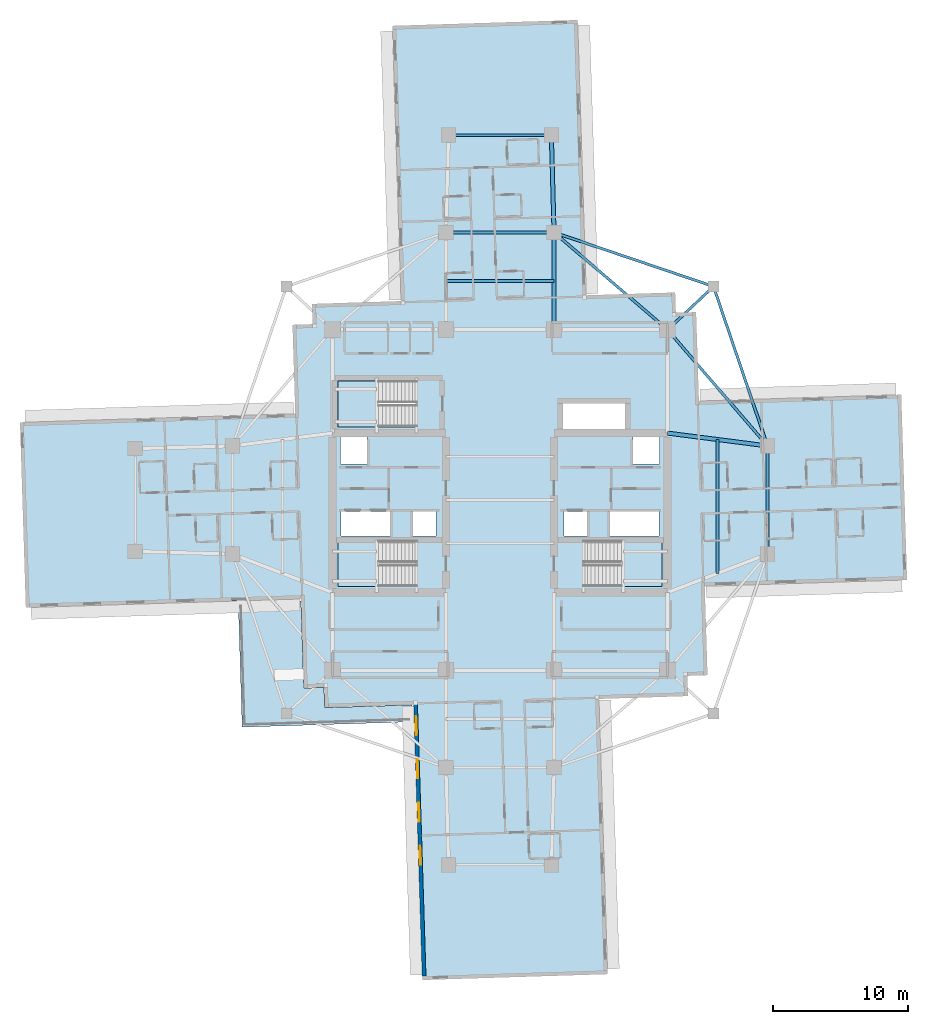
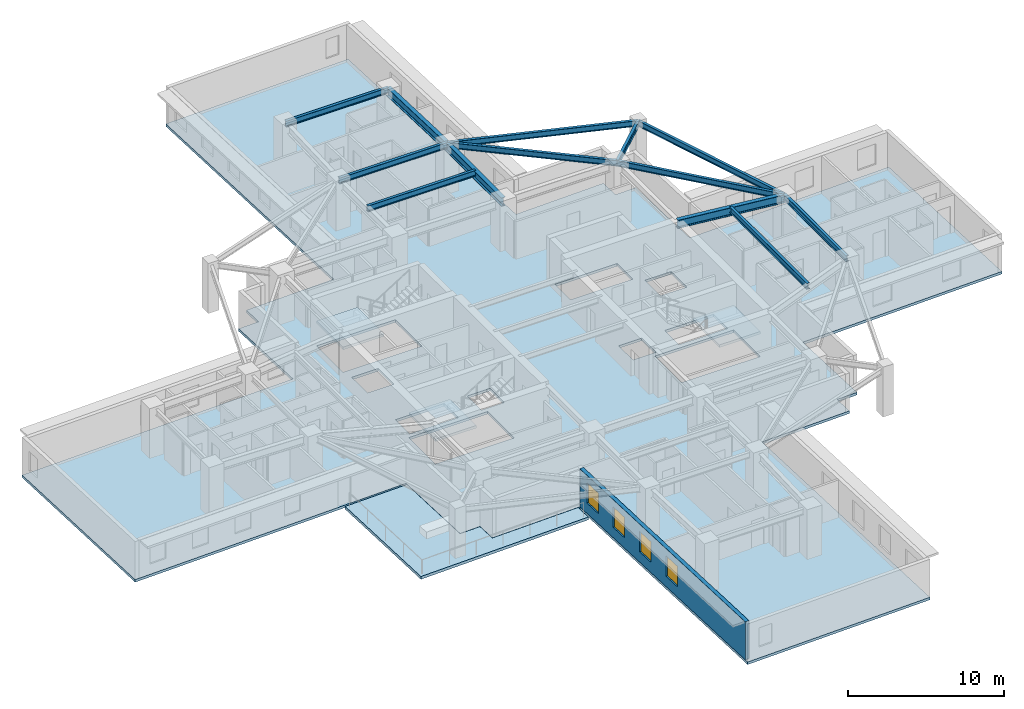
# One storey, part 2 of 14: 13 beams, 5 slabs, 4 windows, 1 wall, 4 openings, 3 elements without a shape of their own.
"""IFC4 building model written with IfcOpenShell, lengths in metres."""

from ifc_helpers import new_model, si_unit, direction, frame, frame_2d, origin, origin_2d, place, context, subcontext, project, spatial, polyline, rectangle, i_section, outline, extrude, material, layer, layer_set, material_profile, profile_set, type_object, element, fill, aggregate, save


model = new_model("IFC4")

# Units and contexts
model_context = context("Model", 3, precision=1e-05, world=origin(), true_north=direction((0.0, 1.0)))
body_context = subcontext(model_context, "Body", "Model", "MODEL_VIEW")
ifc_project = project(units=[si_unit("LENGTHUNIT", "METRE"), si_unit("AREAUNIT", "SQUARE_METRE"), si_unit("VOLUMEUNIT", "CUBIC_METRE"), si_unit("PLANEANGLEUNIT", "RADIAN"), si_unit("MASSUNIT", "GRAM", prefix="KILO")], contexts=[model_context])

# Site, building, storey
site_placement = place(None, origin())
site = spatial("IfcSite", under=ifc_project, at=site_placement, CompositionType="ELEMENT")
building_placement = place(site_placement, origin())
building = spatial("IfcBuilding", under=site, at=building_placement, Name="Qingluan Cross Belvedere", CompositionType="ELEMENT")
storey_placement = place(building_placement, frame((0.0, 0.0, 112.5)))
storey = spatial("IfcBuildingStorey", under=building, at=storey_placement, Name="L28", CompositionType="ELEMENT", Elevation=112.5)

# Beams
ifc_material_1 = material(Name="Steel Q420GJB", Category="steel")
ifc_material_profile_1 = material_profile(ifc_material_1, i_section(OverallWidth=0.199951171875, OverallDepth=0.449951171875, WebThickness=0.009033203125, FlangeThickness=0.013916015625, FilletRadius=0.01611328125, at=origin_2d()), Name="HN450x200x9x14")
ifc_profile_set_1 = profile_set([ifc_material_profile_1], Name="Steel Q420GJB")
beam_type_1 = type_object("IfcBeamType", Name="Steel_Beam_HN450x200x9x14", PredefinedType="JOIST", material=ifc_profile_set_1)
beam_1_placement = place(storey_placement, frame((12.39990234375, 12.60009765625, 3.47509765625), z_axis=(0.728219948308, 0.685343495546, 0.0), x_axis=(-0.685343495546, 0.728219948308, 0.0)))
element("IfcBeam", 1, at=beam_1_placement, inside=storey, type_object=beam_type_1, Name="Corner beam 1 L28-RNE", PredefinedType="JOIST", context=body_context, shape_type="SweptSolid", body=[
    extrude(i_section(OverallWidth=0.199951171875, OverallDepth=0.449951171875, WebThickness=0.009033203125, FlangeThickness=0.013916015625, FilletRadius=0.01611328125, at=origin_2d()), origin(), (0.0, 0.0, 1.0), 4.669189453125),
])
for number, where, z_axis, x_axis, name in (
    (2, (15.800048828125, 15.800048828125, 3.47509765625), (-0.947066283324, 0.321038089628, 0.0), (-0.321038089628, -0.947066283324, 0.0), "Corner beam 2 L28-RNE"),
    (3, (15.800048828125, 15.800048828125, 3.47509765625), (0.321038089628, -0.947066283324, 0.0), (0.947066283324, 0.321038089628, 0.0), "Corner beam 3 L28-RNE"),
):
    element("IfcBeam", number, at=place(storey_placement, frame(where, z_axis=z_axis, x_axis=x_axis)), inside=storey, type_object=beam_type_1, Name=name, PredefinedType="JOIST", context=body_context, shape_type="SweptSolid", body=[
        extrude(i_section(OverallWidth=0.199951171875, OverallDepth=0.449951171875, WebThickness=0.009033203125, FlangeThickness=0.013916015625, FilletRadius=0.01611328125, at=origin_2d()), origin(), (0.0, 0.0, 1.0), 12.45947265625),
    ])
beam_2_placement = place(storey_placement, frame((12.39990234375, 12.60009765625, 3.47509765625), z_axis=(0.652245077546, -0.75800815221, 0.0), x_axis=(0.75800815221, 0.652245077546, 0.0)))
element("IfcBeam", 4, at=beam_2_placement, inside=storey, type_object=beam_type_1, Name="Corner beam 4 L28-RNE", PredefinedType="JOIST", context=body_context, shape_type="SweptSolid", body=[
    extrude(i_section(OverallWidth=0.199951171875, OverallDepth=0.449951171875, WebThickness=0.009033203125, FlangeThickness=0.013916015625, FilletRadius=0.01611328125, at=origin_2d()), origin(), (0.0, 0.0, 1.0), 11.345703125),
])
beam_3_placement = place(storey_placement, frame((12.39990234375, 12.60009765625, 3.47509765625), z_axis=(-0.759255044656, 0.650793190779, 0.0), x_axis=(-0.650793190779, -0.759255044656, 0.0)))
element("IfcBeam", 5, at=beam_3_placement, inside=storey, type_object=beam_type_1, Name="Corner beam 5 L28-RNE", PredefinedType="JOIST", context=body_context, shape_type="SweptSolid", body=[
    extrude(i_section(OverallWidth=0.199951171875, OverallDepth=0.449951171875, WebThickness=0.009033203125, FlangeThickness=0.013916015625, FilletRadius=0.01611328125, at=origin_2d()), origin(), (0.0, 0.0, 1.0), 11.063232421875),
])
beam_4_placement = place(storey_placement, frame((19.800048828125, -4.0, 3.47509765625), z_axis=(0.0, 1.0, 0.0), x_axis=(-1.0, 0.0, 0.0)))
element("IfcBeam", 6, at=beam_4_placement, inside=storey, type_object=beam_type_1, Name="Arm E tie L28", PredefinedType="JOIST", context=body_context, shape_type="SweptSolid", body=[
    extrude(i_section(OverallWidth=0.199951171875, OverallDepth=0.449951171875, WebThickness=0.009033203125, FlangeThickness=0.013916015625, FilletRadius=0.01611328125, at=origin_2d()), origin(), (0.0, 0.0, 1.0), 8.0),
])
beam_5_placement = place(storey_placement, frame((16.10009765625, -5.425048828125, 3.47509765625), z_axis=(0.0, 1.0, 0.0), x_axis=(-1.0, 0.0, 0.0)))
element("IfcBeam", 7, at=beam_5_placement, inside=storey, type_object=beam_type_1, Name="Arm E beam L28", PredefinedType="JOIST", context=body_context, shape_type="SweptSolid", body=[
    extrude(i_section(OverallWidth=0.199951171875, OverallDepth=0.449951171875, WebThickness=0.009033203125, FlangeThickness=0.013916015625, FilletRadius=0.01611328125, at=origin_2d()), origin(), (0.0, 0.0, 1.0), 9.900146484375),
])
for number, where, z_axis, x_axis, name in (
    (8, (-4.0, 19.800048828125, 3.47509765625), (1.0, 0.0, 0.0), (0.0, 1.0, 0.0), "Arm N tie L28"),
    (9, (-4.0, 16.199951171875, 3.47509765625), (1.0, 0.0, 0.0), (0.0, 1.0, 0.0), "Arm N beam L28"),
):
    element("IfcBeam", number, at=place(storey_placement, frame(where, z_axis=z_axis, x_axis=x_axis)), inside=storey, type_object=beam_type_1, Name=name, PredefinedType="JOIST", context=body_context, shape_type="SweptSolid", body=[
        extrude(i_section(OverallWidth=0.199951171875, OverallDepth=0.449951171875, WebThickness=0.009033203125, FlangeThickness=0.013916015625, FilletRadius=0.01611328125, at=origin_2d()), origin(), (0.0, 0.0, 1.0), 8.0),
    ])
beam_6_placement = place(storey_placement, frame((-3.800048828125, 27.0, 3.47509765625), z_axis=(1.0, 0.0, 0.0), x_axis=(0.0, 1.0, 0.0)))
element("IfcBeam", 10, at=beam_6_placement, inside=storey, type_object=beam_type_1, Name="Arm N tip transverse beam L28", PredefinedType="JOIST", context=body_context, shape_type="SweptSolid", body=[
    extrude(i_section(OverallWidth=0.199951171875, OverallDepth=0.449951171875, WebThickness=0.009033203125, FlangeThickness=0.013916015625, FilletRadius=0.01611328125, at=origin_2d()), origin(), (0.0, 0.0, 1.0), 7.60009765625),
])
ifc_material_2 = material(Name="Steel Q420GJB", Category="steel")
ifc_material_profile_2 = material_profile(ifc_material_2, i_section(OverallWidth=0.300048828125, OverallDepth=0.64990234375, WebThickness=0.014404296875, FlangeThickness=0.02587890625, FilletRadius=0.027099609375, at=origin_2d()), Name="HEB650")
ifc_profile_set_2 = profile_set([ifc_material_profile_2], Name="Steel Q420GJB")
beam_type_2 = type_object("IfcBeamType", Name="Steel_Girder_HEB650", PredefinedType="USERDEFINED", material=ifc_profile_set_2)
beam_7_placement = place(storey_placement, frame((12.39990234375, 4.949951171875, 3.375), z_axis=(0.991861120628, -0.12732445714, 0.0), x_axis=(0.12732445714, 0.991861120628, 0.0)))
element("IfcBeam", 11, at=beam_7_placement, inside=storey, type_object=beam_type_2, Name="Arm E radial girder B L28", ObjectType="GIRDER", PredefinedType="USERDEFINED", context=body_context, shape_type="SweptSolid", body=[
    extrude(i_section(OverallWidth=0.300048828125, OverallDepth=0.64990234375, WebThickness=0.014404296875, FlangeThickness=0.02587890625, FilletRadius=0.027099609375, at=origin_2d()), origin(), (0.0, 0.0, 1.0), 7.4609375),
])
beam_8_placement = place(storey_placement, frame((4.0, 12.60009765625, 3.375), z_axis=(0.0, 1.0, 0.0), x_axis=(-1.0, 0.0, 0.0)))
element("IfcBeam", 12, at=beam_8_placement, inside=storey, type_object=beam_type_2, Name="Arm N radial girder B L28", ObjectType="GIRDER", PredefinedType="USERDEFINED", context=body_context, shape_type="SweptSolid", body=[
    extrude(i_section(OverallWidth=0.300048828125, OverallDepth=0.64990234375, WebThickness=0.014404296875, FlangeThickness=0.02587890625, FilletRadius=0.027099609375, at=origin_2d()), origin(), (0.0, 0.0, 1.0), 7.199951171875),
])
beam_9_placement = place(storey_placement, frame((4.0, 19.800048828125, 3.375), z_axis=(-0.027760481514, 0.999614603568, 0.0), x_axis=(-0.999614603568, -0.027760481514, 0.0)))
element("IfcBeam", 13, at=beam_9_placement, inside=storey, type_object=beam_type_2, Name="Arm N outer radial girder B L28", ObjectType="GIRDER", PredefinedType="USERDEFINED", context=body_context, shape_type="SweptSolid", body=[
    extrude(i_section(OverallWidth=0.300048828125, OverallDepth=0.64990234375, WebThickness=0.014404296875, FlangeThickness=0.02587890625, FilletRadius=0.027099609375, at=origin_2d()), origin(), (0.0, 0.0, 1.0), 7.20263671875),
])

# Slab
ifc_material_3 = material(Name="Concrete C40", Category="concrete")
ifc_layer_1 = layer(ifc_material_3, 0.199951171875, Name="FloorSlab_200")
ifc_layer_set_1 = layer_set([ifc_layer_1], Name="Concrete C40")
slab_type_1 = type_object("IfcSlabType", Name="FloorSlab_200", PredefinedType="FLOOR", material=ifc_layer_set_1)
slab_1_placement = place(storey_placement, frame((0.0, 0.0, -0.199951171875)))
element("IfcSlab", 14, at=slab_1_placement, inside=storey, type_object=slab_type_1, Name="Structural floor slab L28", PredefinedType="FLOOR", context=body_context, shape_type="SweptSolid", body=[
    extrude(outline(polyline([(7.966064453125, -35.087158203125), (7.325927734375, -14.71728515625), (13.902587890625, -14.510498046875), (13.85546875, -13.01123046875), (15.354736328125, -12.964111328125), (15.148193359375, -6.38720703125), (30.12060546875, -5.916748046875), (29.689697265625, 7.79638671875), (14.71728515625, 7.325927734375), (14.510498046875, 13.902587890625), (13.01123046875, 13.85546875), (12.964111328125, 15.354736328125), (6.38720703125, 15.148193359375), (5.747314453125, 35.51806640625), (-7.966064453125, 35.087158203125), (-7.325927734375, 14.71728515625), (-13.902587890625, 14.510498046875), (-13.85546875, 13.01123046875), (-15.354736328125, 12.964111328125), (-15.148193359375, 6.38720703125), (-35.51806640625, 5.747314453125), (-35.087158203125, -7.966064453125), (-14.71728515625, -7.325927734375), (-14.510498046875, -13.902587890625), (-13.01123046875, -13.85546875), (-12.964111328125, -15.354736328125), (-6.38720703125, -15.148193359375), (-5.747314453125, -35.51806640625), (7.966064453125, -35.087158203125)]), holes=[polyline([(-12.0, -3.0), (-6.179931640625, -3.0), (-6.179931640625, -6.39990234375), (-12.0, -6.39990234375), (-12.0, -3.0)]), polyline([(6.179931640625, -3.0), (12.0, -3.0), (12.0, -6.39990234375), (6.179931640625, -6.39990234375), (6.179931640625, -3.0)]), polyline([(-12.0, 8.820068359375), (-6.179931640625, 8.820068359375), (-6.179931640625, 5.419921875), (-12.0, 5.419921875), (-12.0, 8.820068359375)]), polyline([(-11.800048828125, 4.64990234375), (-9.85009765625, 4.64990234375), (-9.85009765625, 2.64990234375), (-11.800048828125, 2.64990234375), (-11.800048828125, 4.64990234375)]), polyline([(9.85009765625, 4.64990234375), (11.800048828125, 4.64990234375), (11.800048828125, 2.64990234375), (9.85009765625, 2.64990234375), (9.85009765625, 4.64990234375)]), polyline([(-11.75, -0.840087890625), (-8.14990234375, -0.840087890625), (-8.14990234375, -2.659912109375), (-11.75, -2.659912109375), (-11.75, -0.840087890625)]), polyline([(-6.449951171875, -0.840087890625), (-4.75, -0.840087890625), (-4.75, -2.659912109375), (-6.449951171875, -2.659912109375), (-6.449951171875, -0.840087890625)]), polyline([(4.75, -0.840087890625), (6.449951171875, -0.840087890625), (6.449951171875, -2.659912109375), (4.75, -2.659912109375), (4.75, -0.840087890625)]), polyline([(8.14990234375, -0.840087890625), (11.75, -0.840087890625), (11.75, -2.659912109375), (8.14990234375, -2.659912109375), (8.14990234375, -0.840087890625)]), polyline([(4.64990234375, 7.14990234375), (9.25, 7.14990234375), (9.25, 5.14990234375), (4.64990234375, 5.14990234375), (4.64990234375, 7.14990234375)])]), origin(), (0.0, 0.0, 1.0), 0.199951171875),
])

# Stair, slab
ifc_material_4 = material(Name="Concrete C40", Category="concrete")
stair_type = type_object("IfcStairType", Name="CoreDoglegStair_1620", PredefinedType="HALF_TURN_STAIR", material=ifc_material_4)
stair_1_placement = place(storey_placement, origin())
stair_1 = element("IfcStair", 15, at=stair_1_placement, inside=storey, type_object=stair_type, Name="L28 ST1", PredefinedType="HALF_TURN_STAIR")
ifc_material_5 = material(Name="Concrete C40", Category="concrete")
ifc_layer_2 = layer(ifc_material_5, 0.179931640625, Name="StairLandingSlab_180")
ifc_layer_set_2 = layer_set([ifc_layer_2], Name="Concrete C40")
slab_type_2 = type_object("IfcSlabType", Name="StairLandingSlab_180", PredefinedType="LANDING", material=ifc_layer_set_2)
slab_2_placement = place(storey_placement, frame((0.0, 0.0, 1.75)))
slab_2 = element("IfcSlab", 16, at=slab_2_placement, type_object=slab_type_2, Name="ST1 landing 1", PredefinedType="LANDING", context=body_context, shape_type="SweptSolid", body=[
    extrude(outline(polyline([(-8.97998046875, -3.0), (-12.0, -3.0), (-12.0, -6.39990234375), (-8.97998046875, -6.39990234375), (-8.97998046875, -3.0)])), origin(), (0.0, 0.0, 1.0), 0.199951171875),
])
aggregate(stair_1, [slab_2])

stair_2_placement = place(storey_placement, origin())
stair_2 = element("IfcStair", 17, at=stair_2_placement, inside=storey, type_object=stair_type, Name="L28 ST2", PredefinedType="HALF_TURN_STAIR")
slab_3_placement = place(storey_placement, frame((0.0, 0.0, 1.75)))
slab_3 = element("IfcSlab", 18, at=slab_3_placement, type_object=slab_type_2, Name="ST2 landing 1", PredefinedType="LANDING", context=body_context, shape_type="SweptSolid", body=[
    extrude(outline(polyline([(8.97998046875, -6.39990234375), (12.0, -6.39990234375), (12.0, -3.0), (8.97998046875, -3.0), (8.97998046875, -6.39990234375)])), origin(), (0.0, 0.0, 1.0), 0.199951171875),
])
aggregate(stair_2, [slab_3])

stair_3_placement = place(storey_placement, origin())
stair_3 = element("IfcStair", 19, at=stair_3_placement, inside=storey, type_object=stair_type, Name="L28 ST3", PredefinedType="HALF_TURN_STAIR")
slab_4_placement = place(storey_placement, frame((0.0, 0.0, 1.75)))
slab_4 = element("IfcSlab", 20, at=slab_4_placement, type_object=slab_type_2, Name="ST3 landing 1", PredefinedType="LANDING", context=body_context, shape_type="SweptSolid", body=[
    extrude(outline(polyline([(-8.97998046875, 8.820068359375), (-12.0, 8.820068359375), (-12.0, 5.419921875), (-8.97998046875, 5.419921875), (-8.97998046875, 8.820068359375)])), origin(), (0.0, 0.0, 1.0), 0.199951171875),
])
aggregate(stair_3, [slab_4])

# Slab
ifc_material_6 = material(Name="Concrete C40", Category="concrete")
ifc_layer_3 = layer(ifc_material_6, 0.219970703125, Name="TerraceSlab_220")
ifc_layer_set_3 = layer_set([ifc_layer_3], Name="Concrete C40")
slab_type_3 = type_object("IfcSlabType", Name="TerraceSlab_220", PredefinedType="FLOOR", material=ifc_layer_set_3)
slab_5_placement = place(storey_placement, frame((0.0, 0.0, -0.219970703125)))
element("IfcSlab", 21, at=slab_5_placement, inside=storey, type_object=slab_type_3, Name="Spiralling winter-garden terrace slab L28", PredefinedType="FLOOR", context=body_context, shape_type="SweptSolid", body=[
    extrude(outline(polyline([(-6.527099609375, -15.16259765625), (-12.969482421875, -15.36328125), (-13.02099609375, -13.86572265625), (-14.51025390625, -13.91259765625), (-14.520263671875, -13.90478515625), (-14.72265625, -7.466064453125), (-19.37060546875, -7.6123046875), (-19.08154296875, -16.8076171875), (-6.48779296875, -16.411865234375), (-6.527099609375, -15.16259765625)])), origin(), (0.0, 0.0, 1.0), 0.219970703125),
])

# Wall, openings, windows
ifc_material_7 = material(Name="Precast concrete C45", Category="concrete")
ifc_layer_4 = layer(ifc_material_7, 0.280029296875, Name="PrecastFacadeWall_280")
ifc_layer_set_4 = layer_set([ifc_layer_4], Name="Precast concrete C45")
wall_type = type_object("IfcWallType", Name="PrecastFacadeWall_280", PredefinedType="STANDARD", material=ifc_layer_set_4)
wall_placement = place(storey_placement, frame((-6.247314453125, -15.143798828125, 0.0), z_axis=(0.0, 0.0, 1.0), x_axis=(0.031398187845, -0.999506955354, 0.0)))
wall = element("IfcWall", 22, at=wall_placement, inside=storey, type_object=wall_type, Name="Facade wall L28-SA", PredefinedType="STANDARD", context=body_context, shape_type="SweptSolid", body=[
    extrude(rectangle(XDim=20.10009765625, YDim=0.280029296875, at=frame_2d((10.050048828125, 0.0))), origin(), (0.0, 0.0, 1.0), 2.969970703125),
])
opening_1_placement = place(wall_placement, frame((0.85009765625, 0.0, 0.800048828125)))
opening_1 = element("IfcOpeningElement", 23, at=opening_1_placement, cuts=wall, Name="Opening W-01", PredefinedType="OPENING", context=body_context, shape_type="SweptSolid", body=[
    extrude(rectangle(XDim=1.39990234375, YDim=1.60009765625, at=frame_2d((0.699951171875, 0.800048828125))), frame((0.0, 0.14990234375, 0.0), z_axis=(0.0, -1.0, 0.0), x_axis=(1.0, 0.0, 0.0)), (0.0, 0.0, 1.0), 0.300048828125),
])
opening_2_placement = place(wall_placement, frame((4.050048828125, 0.0, 0.800048828125)))
opening_2 = element("IfcOpeningElement", 24, at=opening_2_placement, cuts=wall, Name="Opening W-01", PredefinedType="OPENING", context=body_context, shape_type="SweptSolid", body=[
    extrude(rectangle(XDim=1.39990234375, YDim=1.60009765625, at=frame_2d((0.699951171875, 0.800048828125))), frame((0.0, 0.14990234375, 0.0), z_axis=(0.0, -1.0, 0.0), x_axis=(1.0, 0.0, 0.0)), (0.0, 0.0, 1.0), 0.300048828125),
])
opening_3_placement = place(wall_placement, frame((7.25, 0.0, 0.800048828125)))
opening_3 = element("IfcOpeningElement", 25, at=opening_3_placement, cuts=wall, Name="Opening W-01", PredefinedType="OPENING", context=body_context, shape_type="SweptSolid", body=[
    extrude(rectangle(XDim=1.39990234375, YDim=1.60009765625, at=frame_2d((0.699951171875, 0.800048828125))), frame((0.0, 0.14990234375, 0.0), z_axis=(0.0, -1.0, 0.0), x_axis=(1.0, 0.0, 0.0)), (0.0, 0.0, 1.0), 0.300048828125),
])
opening_4_placement = place(wall_placement, frame((10.449951171875, 0.0, 0.800048828125)))
opening_4 = element("IfcOpeningElement", 26, at=opening_4_placement, cuts=wall, Name="Opening W-01", PredefinedType="OPENING", context=body_context, shape_type="SweptSolid", body=[
    extrude(rectangle(XDim=1.39990234375, YDim=1.60009765625, at=frame_2d((0.699951171875, 0.800048828125))), frame((0.0, 0.14990234375, 0.0), z_axis=(0.0, -1.0, 0.0), x_axis=(1.0, 0.0, 0.0)), (0.0, 0.0, 1.0), 0.300048828125),
])
ifc_material_8 = material(Name="Thermally broken triple Low-E glass in aluminium frame", Category="aluminium")
window_type = type_object("IfcWindowType", Name="TriRibbonWin_1400x1600", PartitioningType="SINGLE_PANEL", PredefinedType="WINDOW", material=ifc_material_8)
window_1_placement = place(opening_1_placement, origin())
window_1 = element("IfcWindow", 27, at=window_1_placement, inside=storey, type_object=window_type, Name="Ribbon window L28-SA-1", OverallHeight=1.60009765625, OverallWidth=1.39990234375, PartitioningType="SINGLE_PANEL", PredefinedType="WINDOW", context=body_context, shape_type="SweptSolid", body=[
    extrude(rectangle(XDim=1.39990234375, YDim=1.60009765625, at=frame_2d((0.699951171875, 0.800048828125))), frame((0.0, 0.030029296875, 0.0), z_axis=(0.0, -1.0, 0.0), x_axis=(1.0, 0.0, 0.0)), (0.0, 0.0, 1.0), 0.06005859375),
])
fill(opening_1, window_1)
window_2_placement = place(opening_2_placement, origin())
window_2 = element("IfcWindow", 28, at=window_2_placement, inside=storey, type_object=window_type, Name="Ribbon window L28-SA-2", OverallHeight=1.60009765625, OverallWidth=1.39990234375, PartitioningType="SINGLE_PANEL", PredefinedType="WINDOW", context=body_context, shape_type="SweptSolid", body=[
    extrude(rectangle(XDim=1.39990234375, YDim=1.60009765625, at=frame_2d((0.699951171875, 0.800048828125))), frame((0.0, 0.030029296875, 0.0), z_axis=(0.0, -1.0, 0.0), x_axis=(1.0, 0.0, 0.0)), (0.0, 0.0, 1.0), 0.06005859375),
])
fill(opening_2, window_2)
window_3_placement = place(opening_3_placement, origin())
window_3 = element("IfcWindow", 29, at=window_3_placement, inside=storey, type_object=window_type, Name="Ribbon window L28-SA-3", OverallHeight=1.60009765625, OverallWidth=1.39990234375, PartitioningType="SINGLE_PANEL", PredefinedType="WINDOW", context=body_context, shape_type="SweptSolid", body=[
    extrude(rectangle(XDim=1.39990234375, YDim=1.60009765625, at=frame_2d((0.699951171875, 0.800048828125))), frame((0.0, 0.030029296875, 0.0), z_axis=(0.0, -1.0, 0.0), x_axis=(1.0, 0.0, 0.0)), (0.0, 0.0, 1.0), 0.06005859375),
])
fill(opening_3, window_3)
window_4_placement = place(opening_4_placement, origin())
window_4 = element("IfcWindow", 30, at=window_4_placement, inside=storey, type_object=window_type, Name="Ribbon window L28-SA-4", OverallHeight=1.60009765625, OverallWidth=1.39990234375, PartitioningType="SINGLE_PANEL", PredefinedType="WINDOW", context=body_context, shape_type="SweptSolid", body=[
    extrude(rectangle(XDim=1.39990234375, YDim=1.60009765625, at=frame_2d((0.699951171875, 0.800048828125))), frame((0.0, 0.030029296875, 0.0), z_axis=(0.0, -1.0, 0.0), x_axis=(1.0, 0.0, 0.0)), (0.0, 0.0, 1.0), 0.06005859375),
])
fill(opening_4, window_4)

save(model, "model.ifc")
